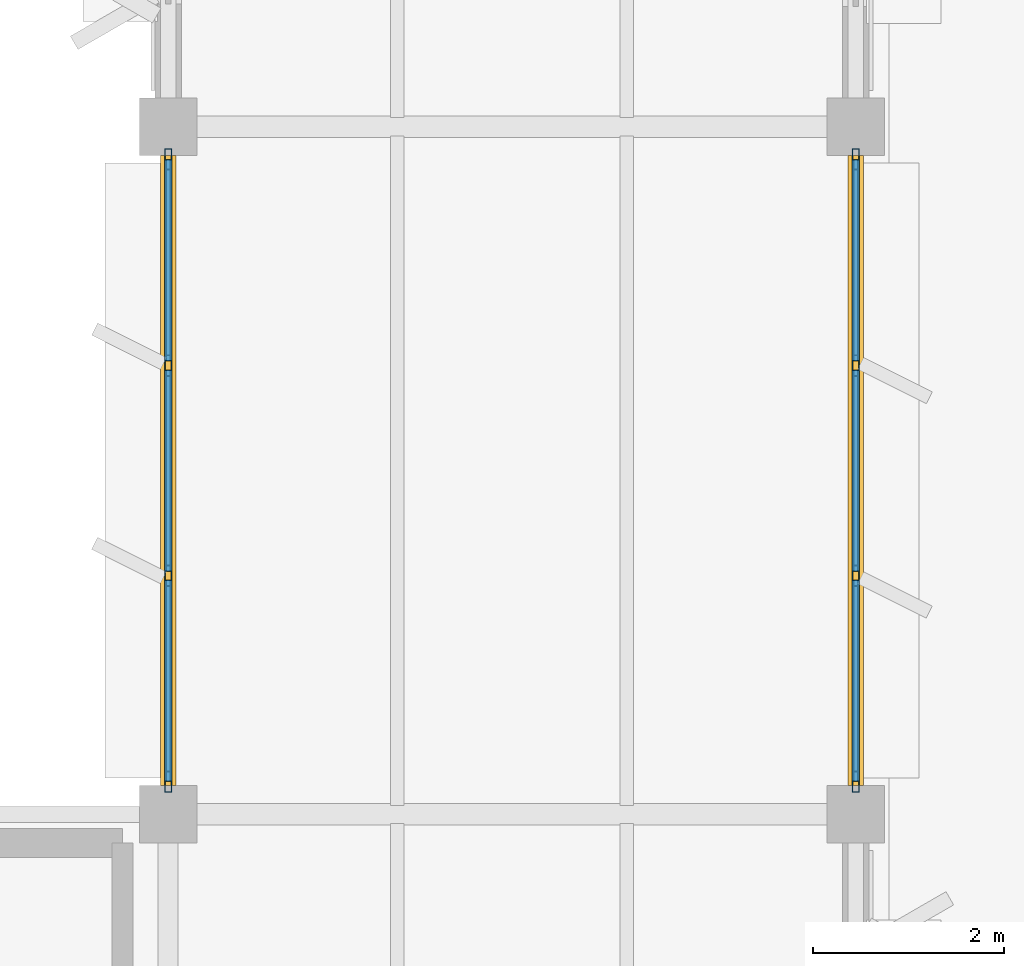
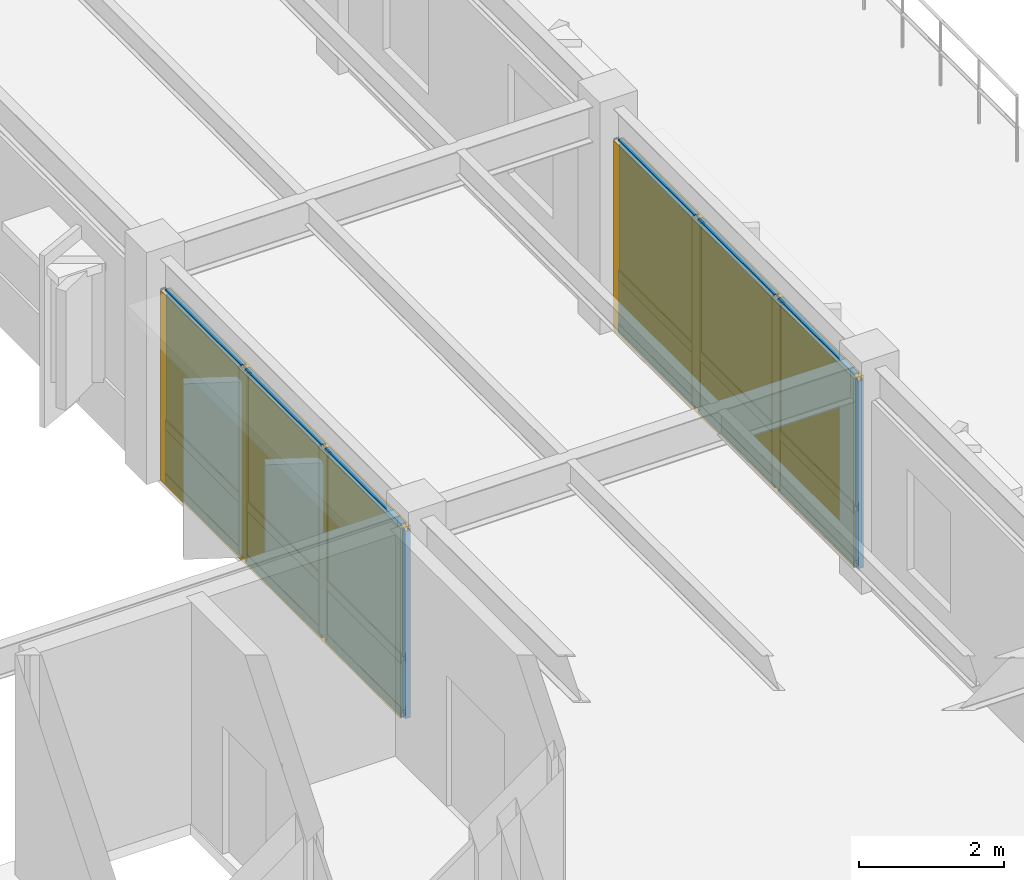
# One storey, part 27 of 35: 26 members, 12 plates, 2 curtain walls.
"""IFC4 building model written with IfcOpenShell, lengths in metres."""

from ifc_helpers import new_model, si_unit, direction, frame, origin, origin_2d, place, context, subcontext, project, spatial, rectangle, hollow_rectangle, extrude, material, layer, layer_set, material_profile, profile_set, type_object, element, aggregate, save


model = new_model("IFC4")

# Units and contexts
model_context = context("Model", 3, precision=1e-05, world=origin(), true_north=direction((0.0, 1.0)))
body_context = subcontext(model_context, "Body", "Model", "MODEL_VIEW")
ifc_project = project(units=[si_unit("LENGTHUNIT", "METRE"), si_unit("AREAUNIT", "SQUARE_METRE"), si_unit("VOLUMEUNIT", "CUBIC_METRE"), si_unit("PLANEANGLEUNIT", "RADIAN"), si_unit("MASSUNIT", "GRAM", prefix="KILO")], contexts=[model_context])

# Member
ifc_material_1 = material(Name="Anodized Aluminium 6063-T6", Category="aluminium")
ifc_material_profile_1 = material_profile(ifc_material_1, hollow_rectangle(XDim=0.074951171875, YDim=0.219970703125, WallThickness=0.0048828125, at=origin_2d()), Name="ALU 75x220x5")
ifc_profile_set_1 = profile_set([ifc_material_profile_1], Name="Anodized Aluminium 6063-T6")
member_type_1 = type_object("IfcMemberType", Name="CWM-75X180", PredefinedType="MULLION", material=ifc_profile_set_1)
site_placement = place(None, origin())
building_placement = place(site_placement, origin())
storey_placement = place(building_placement, frame((0.0, 0.0, 18.0)))
member_1_placement = place(storey_placement, frame((93.60009765625, 93.93994140625, 0.02001953125), z_axis=(0.0, 0.0, 1.0), x_axis=(1.0, 0.0, 0.0)))
member_1 = element("IfcMember", 1, at=member_1_placement, type_object=member_type_1, Name="Curtain wall mullion CW-L05-13-13-W-00", PredefinedType="MULLION", context=body_context, shape_type="SweptSolid", body=[
    extrude(hollow_rectangle(XDim=0.074951171875, YDim=0.219970703125, WallThickness=0.0048828125, at=origin_2d()), origin(), (0.0, 0.0, 1.0), 3.152099609375),
])

member_2_placement = place(storey_placement, frame((93.60009765625, 96.10009765625, 0.02001953125), z_axis=(0.0, 0.0, 1.0), x_axis=(1.0, 0.0, 0.0)))
member_2 = element("IfcMember", 2, at=member_2_placement, type_object=member_type_1, Name="Curtain wall mullion CW-L05-13-13-W-01", PredefinedType="MULLION", context=body_context, shape_type="SweptSolid", body=[
    extrude(hollow_rectangle(XDim=0.074951171875, YDim=0.219970703125, WallThickness=0.0048828125, at=origin_2d()), origin(), (0.0, 0.0, 1.0), 3.152099609375),
])

member_3_placement = place(storey_placement, frame((93.60009765625, 98.300048828125, 0.02001953125), z_axis=(0.0, 0.0, 1.0), x_axis=(1.0, 0.0, 0.0)))
member_3 = element("IfcMember", 3, at=member_3_placement, type_object=member_type_1, Name="Curtain wall mullion CW-L05-13-13-W-02", PredefinedType="MULLION", context=body_context, shape_type="SweptSolid", body=[
    extrude(hollow_rectangle(XDim=0.074951171875, YDim=0.219970703125, WallThickness=0.0048828125, at=origin_2d()), origin(), (0.0, 0.0, 1.0), 3.152099609375),
])

member_4_placement = place(storey_placement, frame((93.60009765625, 100.4599609375, 0.02001953125), z_axis=(0.0, 0.0, 1.0), x_axis=(1.0, 0.0, 0.0)))
member_4 = element("IfcMember", 4, at=member_4_placement, type_object=member_type_1, Name="Curtain wall mullion CW-L05-13-13-W-03", PredefinedType="MULLION", context=body_context, shape_type="SweptSolid", body=[
    extrude(hollow_rectangle(XDim=0.074951171875, YDim=0.219970703125, WallThickness=0.0048828125, at=origin_2d()), origin(), (0.0, 0.0, 1.0), 3.152099609375),
])

member_5_placement = place(storey_placement, frame((100.800048828125, 100.4599609375, 0.02001953125), z_axis=(0.0, 0.0, 1.0), x_axis=(1.0, 0.0, 0.0)))
member_5 = element("IfcMember", 5, at=member_5_placement, type_object=member_type_1, Name="Curtain wall mullion CW-L05-13-13-E-00", PredefinedType="MULLION", context=body_context, shape_type="SweptSolid", body=[
    extrude(hollow_rectangle(XDim=0.074951171875, YDim=0.219970703125, WallThickness=0.0048828125, at=origin_2d()), origin(), (0.0, 0.0, 1.0), 3.152099609375),
])

member_6_placement = place(storey_placement, frame((100.800048828125, 98.300048828125, 0.02001953125), z_axis=(0.0, 0.0, 1.0), x_axis=(1.0, 0.0, 0.0)))
member_6 = element("IfcMember", 6, at=member_6_placement, type_object=member_type_1, Name="Curtain wall mullion CW-L05-13-13-E-01", PredefinedType="MULLION", context=body_context, shape_type="SweptSolid", body=[
    extrude(hollow_rectangle(XDim=0.074951171875, YDim=0.219970703125, WallThickness=0.0048828125, at=origin_2d()), origin(), (0.0, 0.0, 1.0), 3.152099609375),
])

member_7_placement = place(storey_placement, frame((100.800048828125, 96.10009765625, 0.02001953125), z_axis=(0.0, 0.0, 1.0), x_axis=(1.0, 0.0, 0.0)))
member_7 = element("IfcMember", 7, at=member_7_placement, type_object=member_type_1, Name="Curtain wall mullion CW-L05-13-13-E-02", PredefinedType="MULLION", context=body_context, shape_type="SweptSolid", body=[
    extrude(hollow_rectangle(XDim=0.074951171875, YDim=0.219970703125, WallThickness=0.0048828125, at=origin_2d()), origin(), (0.0, 0.0, 1.0), 3.152099609375),
])

member_8_placement = place(storey_placement, frame((100.800048828125, 93.93994140625, 0.02001953125), z_axis=(0.0, 0.0, 1.0), x_axis=(1.0, 0.0, 0.0)))
member_8 = element("IfcMember", 8, at=member_8_placement, type_object=member_type_1, Name="Curtain wall mullion CW-L05-13-13-E-03", PredefinedType="MULLION", context=body_context, shape_type="SweptSolid", body=[
    extrude(hollow_rectangle(XDim=0.074951171875, YDim=0.219970703125, WallThickness=0.0048828125, at=origin_2d()), origin(), (0.0, 0.0, 1.0), 3.152099609375),
])

ifc_material_profile_2 = material_profile(ifc_material_1, hollow_rectangle(XDim=0.074951171875, YDim=0.159912109375, WallThickness=0.00390625, at=origin_2d()), Name="ALU 75x160x4")
ifc_profile_set_2 = profile_set([ifc_material_profile_2], Name="Anodized Aluminium 6063-T6")
member_type_2 = type_object("IfcMemberType", Name="CWT-75X150", PredefinedType="USERDEFINED", material=ifc_profile_set_2)
member_9_placement = place(storey_placement, frame((93.60009765625, 93.949951171875, 0.050048828125), z_axis=(0.0, 1.0, 0.0), x_axis=(-1.0, 0.0, 0.0)))
member_9 = element("IfcMember", 9, at=member_9_placement, type_object=member_type_2, Name="Curtain wall transom CW-L05-13-13-W-1.01", ObjectType="TRANSOM", PredefinedType="USERDEFINED", context=body_context, shape_type="SweptSolid", body=[
    extrude(hollow_rectangle(XDim=0.074951171875, YDim=0.159912109375, WallThickness=0.00390625, at=origin_2d()), origin(), (0.0, 0.0, 1.0), 2.10009765625),
])

member_10_placement = place(storey_placement, frame((93.60009765625, 96.14990234375, 0.050048828125), z_axis=(0.0, 1.0, 0.0), x_axis=(-1.0, 0.0, 0.0)))
member_10 = element("IfcMember", 10, at=member_10_placement, type_object=member_type_2, Name="Curtain wall transom CW-L05-13-13-W-1.02", ObjectType="TRANSOM", PredefinedType="USERDEFINED", context=body_context, shape_type="SweptSolid", body=[
    extrude(hollow_rectangle(XDim=0.074951171875, YDim=0.159912109375, WallThickness=0.00390625, at=origin_2d()), origin(), (0.0, 0.0, 1.0), 2.10009765625),
])

member_11_placement = place(storey_placement, frame((93.60009765625, 98.35009765625, 0.050048828125), z_axis=(0.0, 1.0, 0.0), x_axis=(-1.0, 0.0, 0.0)))
member_11 = element("IfcMember", 11, at=member_11_placement, type_object=member_type_2, Name="Curtain wall transom CW-L05-13-13-W-1.03", ObjectType="TRANSOM", PredefinedType="USERDEFINED", context=body_context, shape_type="SweptSolid", body=[
    extrude(hollow_rectangle(XDim=0.074951171875, YDim=0.159912109375, WallThickness=0.00390625, at=origin_2d()), origin(), (0.0, 0.0, 1.0), 2.099853515625),
])

member_12_placement = place(storey_placement, frame((93.60009765625, 93.949951171875, 0.949951171875), z_axis=(0.0, 1.0, 0.0), x_axis=(-1.0, 0.0, 0.0)))
member_12 = element("IfcMember", 12, at=member_12_placement, type_object=member_type_2, Name="Curtain wall transom CW-L05-13-13-W-2.01", ObjectType="TRANSOM", PredefinedType="USERDEFINED", context=body_context, shape_type="SweptSolid", body=[
    extrude(hollow_rectangle(XDim=0.074951171875, YDim=0.159912109375, WallThickness=0.00390625, at=origin_2d()), origin(), (0.0, 0.0, 1.0), 2.10009765625),
])

member_13_placement = place(storey_placement, frame((93.60009765625, 96.14990234375, 0.949951171875), z_axis=(0.0, 1.0, 0.0), x_axis=(-1.0, 0.0, 0.0)))
member_13 = element("IfcMember", 13, at=member_13_placement, type_object=member_type_2, Name="Curtain wall transom CW-L05-13-13-W-2.02", ObjectType="TRANSOM", PredefinedType="USERDEFINED", context=body_context, shape_type="SweptSolid", body=[
    extrude(hollow_rectangle(XDim=0.074951171875, YDim=0.159912109375, WallThickness=0.00390625, at=origin_2d()), origin(), (0.0, 0.0, 1.0), 2.10009765625),
])

member_14_placement = place(storey_placement, frame((93.60009765625, 98.35009765625, 0.949951171875), z_axis=(0.0, 1.0, 0.0), x_axis=(-1.0, 0.0, 0.0)))
member_14 = element("IfcMember", 14, at=member_14_placement, type_object=member_type_2, Name="Curtain wall transom CW-L05-13-13-W-2.03", ObjectType="TRANSOM", PredefinedType="USERDEFINED", context=body_context, shape_type="SweptSolid", body=[
    extrude(hollow_rectangle(XDim=0.074951171875, YDim=0.159912109375, WallThickness=0.00390625, at=origin_2d()), origin(), (0.0, 0.0, 1.0), 2.099853515625),
])

member_15_placement = place(storey_placement, frame((93.60009765625, 93.949951171875, 3.14208984375), z_axis=(0.0, 1.0, 0.0), x_axis=(-1.0, 0.0, 0.0)))
member_15 = element("IfcMember", 15, at=member_15_placement, type_object=member_type_2, Name="Curtain wall transom CW-L05-13-13-W-3.01", ObjectType="TRANSOM", PredefinedType="USERDEFINED", context=body_context, shape_type="SweptSolid", body=[
    extrude(hollow_rectangle(XDim=0.074951171875, YDim=0.159912109375, WallThickness=0.00390625, at=origin_2d()), origin(), (0.0, 0.0, 1.0), 2.10009765625),
])

member_16_placement = place(storey_placement, frame((93.60009765625, 96.14990234375, 3.14208984375), z_axis=(0.0, 1.0, 0.0), x_axis=(-1.0, 0.0, 0.0)))
member_16 = element("IfcMember", 16, at=member_16_placement, type_object=member_type_2, Name="Curtain wall transom CW-L05-13-13-W-3.02", ObjectType="TRANSOM", PredefinedType="USERDEFINED", context=body_context, shape_type="SweptSolid", body=[
    extrude(hollow_rectangle(XDim=0.074951171875, YDim=0.159912109375, WallThickness=0.00390625, at=origin_2d()), origin(), (0.0, 0.0, 1.0), 2.10009765625),
])

member_17_placement = place(storey_placement, frame((93.60009765625, 98.35009765625, 3.14208984375), z_axis=(0.0, 1.0, 0.0), x_axis=(-1.0, 0.0, 0.0)))
member_17 = element("IfcMember", 17, at=member_17_placement, type_object=member_type_2, Name="Curtain wall transom CW-L05-13-13-W-3.03", ObjectType="TRANSOM", PredefinedType="USERDEFINED", context=body_context, shape_type="SweptSolid", body=[
    extrude(hollow_rectangle(XDim=0.074951171875, YDim=0.159912109375, WallThickness=0.00390625, at=origin_2d()), origin(), (0.0, 0.0, 1.0), 2.099853515625),
])

member_18_placement = place(storey_placement, frame((100.800048828125, 100.449951171875, 0.050048828125), z_axis=(0.0, -1.0, 0.0), x_axis=(1.0, 0.0, 0.0)))
member_18 = element("IfcMember", 18, at=member_18_placement, type_object=member_type_2, Name="Curtain wall transom CW-L05-13-13-E-1.01", ObjectType="TRANSOM", PredefinedType="USERDEFINED", context=body_context, shape_type="SweptSolid", body=[
    extrude(hollow_rectangle(XDim=0.074951171875, YDim=0.159912109375, WallThickness=0.00390625, at=origin_2d()), origin(), (0.0, 0.0, 1.0), 2.099853515625),
])

member_19_placement = place(storey_placement, frame((100.800048828125, 98.25, 0.050048828125), z_axis=(0.0, -1.0, 0.0), x_axis=(1.0, 0.0, 0.0)))
member_19 = element("IfcMember", 19, at=member_19_placement, type_object=member_type_2, Name="Curtain wall transom CW-L05-13-13-E-1.02", ObjectType="TRANSOM", PredefinedType="USERDEFINED", context=body_context, shape_type="SweptSolid", body=[
    extrude(hollow_rectangle(XDim=0.074951171875, YDim=0.159912109375, WallThickness=0.00390625, at=origin_2d()), origin(), (0.0, 0.0, 1.0), 2.10009765625),
])

member_20_placement = place(storey_placement, frame((100.800048828125, 96.050048828125, 0.050048828125), z_axis=(0.0, -1.0, 0.0), x_axis=(1.0, 0.0, 0.0)))
member_20 = element("IfcMember", 20, at=member_20_placement, type_object=member_type_2, Name="Curtain wall transom CW-L05-13-13-E-1.03", ObjectType="TRANSOM", PredefinedType="USERDEFINED", context=body_context, shape_type="SweptSolid", body=[
    extrude(hollow_rectangle(XDim=0.074951171875, YDim=0.159912109375, WallThickness=0.00390625, at=origin_2d()), origin(), (0.0, 0.0, 1.0), 2.10009765625),
])

member_21_placement = place(storey_placement, frame((100.800048828125, 100.449951171875, 0.949951171875), z_axis=(0.0, -1.0, 0.0), x_axis=(1.0, 0.0, 0.0)))
member_21 = element("IfcMember", 21, at=member_21_placement, type_object=member_type_2, Name="Curtain wall transom CW-L05-13-13-E-2.01", ObjectType="TRANSOM", PredefinedType="USERDEFINED", context=body_context, shape_type="SweptSolid", body=[
    extrude(hollow_rectangle(XDim=0.074951171875, YDim=0.159912109375, WallThickness=0.00390625, at=origin_2d()), origin(), (0.0, 0.0, 1.0), 2.099853515625),
])

member_22_placement = place(storey_placement, frame((100.800048828125, 98.25, 0.949951171875), z_axis=(0.0, -1.0, 0.0), x_axis=(1.0, 0.0, 0.0)))
member_22 = element("IfcMember", 22, at=member_22_placement, type_object=member_type_2, Name="Curtain wall transom CW-L05-13-13-E-2.02", ObjectType="TRANSOM", PredefinedType="USERDEFINED", context=body_context, shape_type="SweptSolid", body=[
    extrude(hollow_rectangle(XDim=0.074951171875, YDim=0.159912109375, WallThickness=0.00390625, at=origin_2d()), origin(), (0.0, 0.0, 1.0), 2.10009765625),
])

member_23_placement = place(storey_placement, frame((100.800048828125, 96.050048828125, 0.949951171875), z_axis=(0.0, -1.0, 0.0), x_axis=(1.0, 0.0, 0.0)))
member_23 = element("IfcMember", 23, at=member_23_placement, type_object=member_type_2, Name="Curtain wall transom CW-L05-13-13-E-2.03", ObjectType="TRANSOM", PredefinedType="USERDEFINED", context=body_context, shape_type="SweptSolid", body=[
    extrude(hollow_rectangle(XDim=0.074951171875, YDim=0.159912109375, WallThickness=0.00390625, at=origin_2d()), origin(), (0.0, 0.0, 1.0), 2.10009765625),
])

member_24_placement = place(storey_placement, frame((100.800048828125, 100.449951171875, 3.14208984375), z_axis=(0.0, -1.0, 0.0), x_axis=(1.0, 0.0, 0.0)))
member_24 = element("IfcMember", 24, at=member_24_placement, type_object=member_type_2, Name="Curtain wall transom CW-L05-13-13-E-3.01", ObjectType="TRANSOM", PredefinedType="USERDEFINED", context=body_context, shape_type="SweptSolid", body=[
    extrude(hollow_rectangle(XDim=0.074951171875, YDim=0.159912109375, WallThickness=0.00390625, at=origin_2d()), origin(), (0.0, 0.0, 1.0), 2.099853515625),
])

member_25_placement = place(storey_placement, frame((100.800048828125, 98.25, 3.14208984375), z_axis=(0.0, -1.0, 0.0), x_axis=(1.0, 0.0, 0.0)))
member_25 = element("IfcMember", 25, at=member_25_placement, type_object=member_type_2, Name="Curtain wall transom CW-L05-13-13-E-3.02", ObjectType="TRANSOM", PredefinedType="USERDEFINED", context=body_context, shape_type="SweptSolid", body=[
    extrude(hollow_rectangle(XDim=0.074951171875, YDim=0.159912109375, WallThickness=0.00390625, at=origin_2d()), origin(), (0.0, 0.0, 1.0), 2.10009765625),
])

member_26_placement = place(storey_placement, frame((100.800048828125, 96.050048828125, 3.14208984375), z_axis=(0.0, -1.0, 0.0), x_axis=(1.0, 0.0, 0.0)))
member_26 = element("IfcMember", 26, at=member_26_placement, type_object=member_type_2, Name="Curtain wall transom CW-L05-13-13-E-3.03", ObjectType="TRANSOM", PredefinedType="USERDEFINED", context=body_context, shape_type="SweptSolid", body=[
    extrude(hollow_rectangle(XDim=0.074951171875, YDim=0.159912109375, WallThickness=0.00390625, at=origin_2d()), origin(), (0.0, 0.0, 1.0), 2.10009765625),
])

# Plate
ifc_material_2 = material(Name="Acoustic Laminated Low-E Glazing", Category="glass")
ifc_layer_1 = layer(ifc_material_2, 0.0439453125)
ifc_layer_set_1 = layer_set([ifc_layer_1], Name="Acoustic Laminated Low-E Glazing")
plate_type_1 = type_object("IfcPlateType", Name="CWP-IGU-44", PredefinedType="CURTAIN_PANEL", material=ifc_layer_set_1)
plate_1_placement = place(storey_placement, frame((93.60009765625, 95.0, 0.989990234375), z_axis=(0.0, 0.0, 1.0), x_axis=(0.0, 1.0, 0.0)))
plate_1 = element("IfcPlate", 27, at=plate_1_placement, type_object=plate_type_1, Name="Curtain wall vision glazing CW-L05-13-13-W-01", PredefinedType="CURTAIN_PANEL", context=body_context, shape_type="SweptSolid", body=[
    extrude(rectangle(XDim=2.110107421875, YDim=0.0400390625, at=origin_2d()), origin(), (0.0, 0.0, 1.0), 2.14208984375),
])

plate_2_placement = place(storey_placement, frame((93.60009765625, 97.199951171875, 0.989990234375), z_axis=(0.0, 0.0, 1.0), x_axis=(0.0, 1.0, 0.0)))
plate_2 = element("IfcPlate", 28, at=plate_2_placement, type_object=plate_type_1, Name="Curtain wall vision glazing CW-L05-13-13-W-02", PredefinedType="CURTAIN_PANEL", context=body_context, shape_type="SweptSolid", body=[
    extrude(rectangle(XDim=2.110107421875, YDim=0.0400390625, at=origin_2d()), origin(), (0.0, 0.0, 1.0), 2.14208984375),
])

plate_3_placement = place(storey_placement, frame((93.60009765625, 99.39990234375, 0.989990234375), z_axis=(0.0, 0.0, 1.0), x_axis=(0.0, 1.0, 0.0)))
plate_3 = element("IfcPlate", 29, at=plate_3_placement, type_object=plate_type_1, Name="Curtain wall vision glazing CW-L05-13-13-W-03", PredefinedType="CURTAIN_PANEL", context=body_context, shape_type="SweptSolid", body=[
    extrude(rectangle(XDim=2.110107421875, YDim=0.0400390625, at=origin_2d()), origin(), (0.0, 0.0, 1.0), 2.14208984375),
])

plate_4_placement = place(storey_placement, frame((100.800048828125, 99.39990234375, 0.989990234375), z_axis=(0.0, 0.0, 1.0), x_axis=(0.0, -1.0, 0.0)))
plate_4 = element("IfcPlate", 30, at=plate_4_placement, type_object=plate_type_1, Name="Curtain wall vision glazing CW-L05-13-13-E-01", PredefinedType="CURTAIN_PANEL", context=body_context, shape_type="SweptSolid", body=[
    extrude(rectangle(XDim=2.110107421875, YDim=0.0400390625, at=origin_2d()), origin(), (0.0, 0.0, 1.0), 2.14208984375),
])

plate_5_placement = place(storey_placement, frame((100.800048828125, 97.199951171875, 0.989990234375), z_axis=(0.0, 0.0, 1.0), x_axis=(0.0, -1.0, 0.0)))
plate_5 = element("IfcPlate", 31, at=plate_5_placement, type_object=plate_type_1, Name="Curtain wall vision glazing CW-L05-13-13-E-02", PredefinedType="CURTAIN_PANEL", context=body_context, shape_type="SweptSolid", body=[
    extrude(rectangle(XDim=2.110107421875, YDim=0.0400390625, at=origin_2d()), origin(), (0.0, 0.0, 1.0), 2.14208984375),
])

plate_6_placement = place(storey_placement, frame((100.800048828125, 95.0, 0.989990234375), z_axis=(0.0, 0.0, 1.0), x_axis=(0.0, -1.0, 0.0)))
plate_6 = element("IfcPlate", 32, at=plate_6_placement, type_object=plate_type_1, Name="Curtain wall vision glazing CW-L05-13-13-E-03", PredefinedType="CURTAIN_PANEL", context=body_context, shape_type="SweptSolid", body=[
    extrude(rectangle(XDim=2.110107421875, YDim=0.0400390625, at=origin_2d()), origin(), (0.0, 0.0, 1.0), 2.14208984375),
])

ifc_material_3 = material(Name="Insulated Stone-Composite Spandrel", Category="masonry")
ifc_layer_2 = layer(ifc_material_3, 0.068115234375)
ifc_layer_set_2 = layer_set([ifc_layer_2], Name="Insulated Stone-Composite Spandrel")
plate_type_2 = type_object("IfcPlateType", Name="CWP-SPN-68", PredefinedType="CURTAIN_PANEL", material=ifc_layer_set_2)
plate_7_placement = place(storey_placement, frame((93.60009765625, 95.0, 0.080078125), z_axis=(0.0, 0.0, 1.0), x_axis=(0.0, 1.0, 0.0)))
plate_7 = element("IfcPlate", 33, at=plate_7_placement, type_object=plate_type_2, Name="Curtain wall spandrel panel CW-L05-13-13-W-01", PredefinedType="CURTAIN_PANEL", context=body_context, shape_type="SweptSolid", body=[
    extrude(rectangle(XDim=2.110107421875, YDim=0.06005859375, at=origin_2d()), origin(), (0.0, 0.0, 1.0), 0.840087890625),
])

plate_8_placement = place(storey_placement, frame((93.60009765625, 97.199951171875, 0.080078125), z_axis=(0.0, 0.0, 1.0), x_axis=(0.0, 1.0, 0.0)))
plate_8 = element("IfcPlate", 34, at=plate_8_placement, type_object=plate_type_2, Name="Curtain wall spandrel panel CW-L05-13-13-W-02", PredefinedType="CURTAIN_PANEL", context=body_context, shape_type="SweptSolid", body=[
    extrude(rectangle(XDim=2.110107421875, YDim=0.06005859375, at=origin_2d()), origin(), (0.0, 0.0, 1.0), 0.840087890625),
])

plate_9_placement = place(storey_placement, frame((93.60009765625, 99.39990234375, 0.080078125), z_axis=(0.0, 0.0, 1.0), x_axis=(0.0, 1.0, 0.0)))
plate_9 = element("IfcPlate", 35, at=plate_9_placement, type_object=plate_type_2, Name="Curtain wall spandrel panel CW-L05-13-13-W-03", PredefinedType="CURTAIN_PANEL", context=body_context, shape_type="SweptSolid", body=[
    extrude(rectangle(XDim=2.110107421875, YDim=0.06005859375, at=origin_2d()), origin(), (0.0, 0.0, 1.0), 0.840087890625),
])

plate_10_placement = place(storey_placement, frame((100.800048828125, 99.39990234375, 0.080078125), z_axis=(0.0, 0.0, 1.0), x_axis=(0.0, -1.0, 0.0)))
plate_10 = element("IfcPlate", 36, at=plate_10_placement, type_object=plate_type_2, Name="Curtain wall spandrel panel CW-L05-13-13-E-01", PredefinedType="CURTAIN_PANEL", context=body_context, shape_type="SweptSolid", body=[
    extrude(rectangle(XDim=2.110107421875, YDim=0.06005859375, at=origin_2d()), origin(), (0.0, 0.0, 1.0), 0.840087890625),
])

plate_11_placement = place(storey_placement, frame((100.800048828125, 97.199951171875, 0.080078125), z_axis=(0.0, 0.0, 1.0), x_axis=(0.0, -1.0, 0.0)))
plate_11 = element("IfcPlate", 37, at=plate_11_placement, type_object=plate_type_2, Name="Curtain wall spandrel panel CW-L05-13-13-E-02", PredefinedType="CURTAIN_PANEL", context=body_context, shape_type="SweptSolid", body=[
    extrude(rectangle(XDim=2.110107421875, YDim=0.06005859375, at=origin_2d()), origin(), (0.0, 0.0, 1.0), 0.840087890625),
])

plate_12_placement = place(storey_placement, frame((100.800048828125, 95.0, 0.080078125), z_axis=(0.0, 0.0, 1.0), x_axis=(0.0, -1.0, 0.0)))
plate_12 = element("IfcPlate", 38, at=plate_12_placement, type_object=plate_type_2, Name="Curtain wall spandrel panel CW-L05-13-13-E-03", PredefinedType="CURTAIN_PANEL", context=body_context, shape_type="SweptSolid", body=[
    extrude(rectangle(XDim=2.110107421875, YDim=0.06005859375, at=origin_2d()), origin(), (0.0, 0.0, 1.0), 0.840087890625),
])

# Site, building, storey
site = spatial("IfcSite", under=ifc_project, at=site_placement, CompositionType="ELEMENT")
building = spatial("IfcBuilding", under=site, at=building_placement, Name="Sillqori Civic Hall", CompositionType="ELEMENT")
storey = spatial("IfcBuildingStorey", under=building, at=storey_placement, Name="L05", CompositionType="ELEMENT", Elevation=18.0)

# Curtain wall
ifc_material_4 = material(Name="Anodized Aluminium Curtain Wall System", Category="aluminium")
curtain_wall_type = type_object("IfcCurtainWallType", Name="CW-AD-370", PredefinedType="NOTDEFINED", material=ifc_material_4)
curtain_wall_1_placement = place(storey_placement, frame((93.60009765625, 97.199951171875, 0.0), z_axis=(0.0, 0.0, 1.0), x_axis=(0.0, 1.0, 0.0)))
curtain_wall_1 = element("IfcCurtainWall", 39, at=curtain_wall_1_placement, inside=storey, type_object=curtain_wall_type, Name="L05 unitised curtain wall CW-L05-13-13-W", PredefinedType="NOTDEFINED", context=body_context, shape_type="SweptSolid", body=[
    extrude(rectangle(XDim=6.60009765625, YDim=0.159912109375, at=origin_2d()), origin(), (0.0, 0.0, 1.0), 3.19189453125),
])

aggregate(curtain_wall_1, [member_1, member_2, member_3, member_4, member_9, member_10, member_11, member_12, member_13, member_14, member_15, member_16, member_17, plate_7, plate_1, plate_8, plate_2, plate_9, plate_3])

curtain_wall_2_placement = place(storey_placement, frame((100.800048828125, 97.199951171875, 0.0), z_axis=(0.0, 0.0, 1.0), x_axis=(0.0, -1.0, 0.0)))
curtain_wall_2 = element("IfcCurtainWall", 40, at=curtain_wall_2_placement, inside=storey, type_object=curtain_wall_type, Name="L05 unitised curtain wall CW-L05-13-13-E", PredefinedType="NOTDEFINED", context=body_context, shape_type="SweptSolid", body=[
    extrude(rectangle(XDim=6.60009765625, YDim=0.159912109375, at=origin_2d()), origin(), (0.0, 0.0, 1.0), 3.19189453125),
])

aggregate(curtain_wall_2, [member_5, member_6, member_7, member_8, member_18, member_19, member_20, member_21, member_22, member_23, member_24, member_25, member_26, plate_10, plate_4, plate_11, plate_5, plate_12, plate_6])

save(model, "model.ifc")
